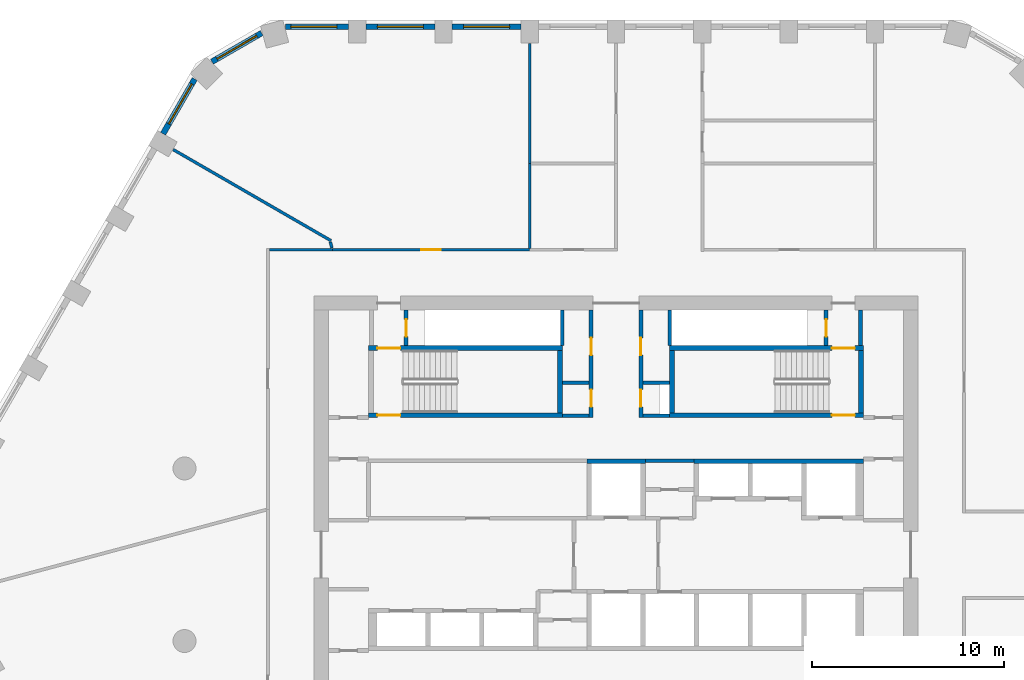
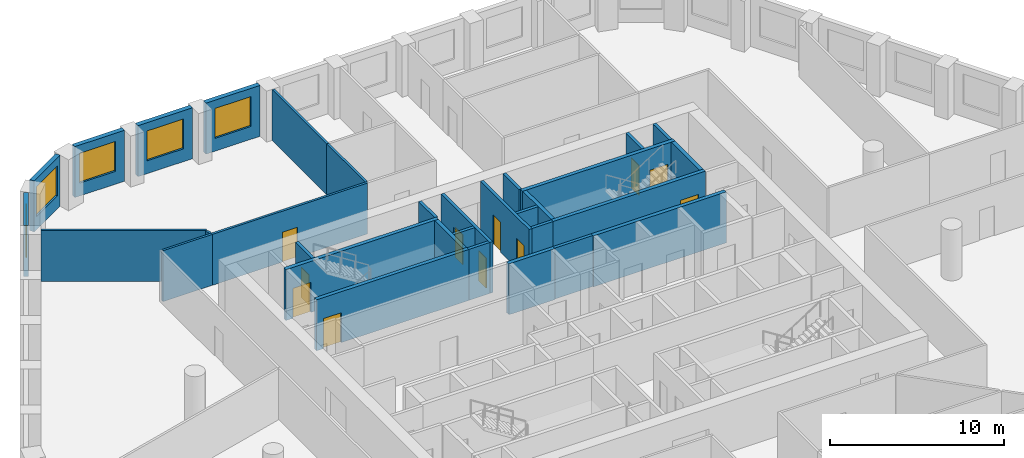
# One storey, part 6 of 9: 32 walls, 11 doors, 5 windows, 16 openings.
"""IFC4 building model written with IfcOpenShell, lengths in metres."""

from ifc_helpers import new_model, si_unit, direction, frame, frame_2d, origin, place, context, subcontext, project, spatial, polyline, rectangle, outline, extrude, material, layer, layer_set, type_object, element, fill, save


model = new_model("IFC4")

# Units and contexts
model_context = context("Model", 3, precision=1e-05, world=origin(), true_north=direction((0.0, 1.0)))
body_context = subcontext(model_context, "Body", "Model", "MODEL_VIEW")
ifc_project = project(units=[si_unit("LENGTHUNIT", "METRE"), si_unit("AREAUNIT", "SQUARE_METRE"), si_unit("VOLUMEUNIT", "CUBIC_METRE"), si_unit("PLANEANGLEUNIT", "RADIAN"), si_unit("MASSUNIT", "GRAM", prefix="KILO")], contexts=[model_context])

# Site, building, storey
site_placement = place(None, origin())
site = spatial("IfcSite", under=ifc_project, at=site_placement, CompositionType="ELEMENT")
building_placement = place(site_placement, origin())
building = spatial("IfcBuilding", under=site, at=building_placement, Name="Dhurran Vertical Campus", CompositionType="ELEMENT")
storey_placement = place(building_placement, frame((0.0, 0.0, 171.60009765625)))
storey = spatial("IfcBuildingStorey", under=building, at=storey_placement, Name="L42", CompositionType="ELEMENT", Elevation=171.60009765625)

# Wall, opening, window
ifc_material_1 = material(Name="Precast concrete C50/60", Category="concrete")
ifc_layer_1 = layer(ifc_material_1, 0.300048828125)
ifc_layer_set_1 = layer_set([ifc_layer_1], Name="Precast concrete C50/60")
wall_type_1 = type_object("IfcWallType", Name="Precast spandrel wall 300", PredefinedType="SOLIDWALL", material=ifc_layer_set_1)
wall_1_placement = place(storey_placement, frame((-4.950439453125, 27.53271484375, 0.0), z_axis=(0.0, 0.0, 1.0), x_axis=(-1.0, 0.0, 0.0)))
wall_1 = element("IfcWall", 1, at=wall_1_placement, inside=storey, type_object=wall_type_1, Name="EW1 L42.28", PredefinedType="SOLIDWALL", context=body_context, shape_type="SweptSolid", body=[
    extrude(rectangle(XDim=3.59912109375, YDim=0.300048828125, at=frame_2d((1.799560546875, 0.0))), origin(), (0.0, 0.0, 1.0), 3.574951171875),
])
opening_1_placement = place(wall_1_placement, frame((0.599609375, 0.0, 0.89990234375)))
opening_1 = element("IfcOpeningElement", 2, at=opening_1_placement, cuts=wall_1, Name="Opening WT1", PredefinedType="OPENING", context=body_context, shape_type="SweptSolid", body=[
    extrude(rectangle(XDim=2.39990234375, YDim=2.10009765625, at=frame_2d((1.199951171875, 1.050048828125))), frame((0.0, 0.159912109375, 0.0), z_axis=(0.0, -1.0, 0.0), x_axis=(1.0, 0.0, 0.0)), (0.0, 0.0, 1.0), 0.320068359375),
])
ifc_material_2 = material(Name="Aluminium frame with solar-control glass", Category="aluminium")
window_type = type_object("IfcWindowType", Name="Punched window 2400 x 2100", PartitioningType="SINGLE_PANEL", PredefinedType="WINDOW", material=ifc_material_2)
window_1_placement = place(opening_1_placement, origin())
window_1 = element("IfcWindow", 3, at=window_1_placement, inside=storey, type_object=window_type, Name="WT1 L42.28", OverallHeight=2.10009765625, OverallWidth=2.39990234375, PartitioningType="SINGLE_PANEL", PredefinedType="WINDOW", context=body_context, shape_type="SweptSolid", body=[
    extrude(rectangle(XDim=2.39990234375, YDim=2.10009765625, at=frame_2d((1.199951171875, 1.050048828125))), frame((0.0, 0.030029296875, 0.0), z_axis=(0.0, -1.0, 0.0), x_axis=(1.0, 0.0, 0.0)), (0.0, 0.0, 1.0), 0.06005859375),
])
fill(opening_1, window_1)

wall_2_placement = place(storey_placement, frame((-9.450439453125, 27.53271484375, 0.0), z_axis=(0.0, 0.0, 1.0), x_axis=(-1.0, 0.0, 0.0)))
wall_2 = element("IfcWall", 4, at=wall_2_placement, inside=storey, type_object=wall_type_1, Name="EW1 L42.29", PredefinedType="SOLIDWALL", context=body_context, shape_type="SweptSolid", body=[
    extrude(rectangle(XDim=3.59912109375, YDim=0.300048828125, at=frame_2d((1.799560546875, 0.0))), origin(), (0.0, 0.0, 1.0), 3.574951171875),
])
opening_2_placement = place(wall_2_placement, frame((0.599609375, 0.0, 0.89990234375)))
opening_2 = element("IfcOpeningElement", 5, at=opening_2_placement, cuts=wall_2, Name="Opening WT1", PredefinedType="OPENING", context=body_context, shape_type="SweptSolid", body=[
    extrude(rectangle(XDim=2.39990234375, YDim=2.10009765625, at=frame_2d((1.199951171875, 1.050048828125))), frame((0.0, 0.159912109375, 0.0), z_axis=(0.0, -1.0, 0.0), x_axis=(1.0, 0.0, 0.0)), (0.0, 0.0, 1.0), 0.320068359375),
])
window_2_placement = place(opening_2_placement, origin())
window_2 = element("IfcWindow", 6, at=window_2_placement, inside=storey, type_object=window_type, Name="WT1 L42.29", OverallHeight=2.10009765625, OverallWidth=2.39990234375, PartitioningType="SINGLE_PANEL", PredefinedType="WINDOW", context=body_context, shape_type="SweptSolid", body=[
    extrude(rectangle(XDim=2.39990234375, YDim=2.10009765625, at=frame_2d((1.199951171875, 1.050048828125))), frame((0.0, 0.030029296875, 0.0), z_axis=(0.0, -1.0, 0.0), x_axis=(1.0, 0.0, 0.0)), (0.0, 0.0, 1.0), 0.06005859375),
])
fill(opening_2, window_2)

wall_3_placement = place(storey_placement, frame((-13.950439453125, 27.53271484375, 0.0), z_axis=(0.0, 0.0, 1.0), x_axis=(-1.0, 0.0, 0.0)))
wall_3 = element("IfcWall", 7, at=wall_3_placement, inside=storey, type_object=wall_type_1, Name="EW1 L42.30", PredefinedType="SOLIDWALL", context=body_context, shape_type="SweptSolid", body=[
    extrude(rectangle(XDim=3.294189453125, YDim=0.300048828125, at=frame_2d((1.64697265625, 0.0))), origin(), (0.0, 0.0, 1.0), 3.574951171875),
])
opening_3_placement = place(wall_3_placement, frame((0.599609375, 0.0, 0.89990234375)))
opening_3 = element("IfcOpeningElement", 8, at=opening_3_placement, cuts=wall_3, Name="Opening WT1", PredefinedType="OPENING", context=body_context, shape_type="SweptSolid", body=[
    extrude(rectangle(XDim=2.39990234375, YDim=2.10009765625, at=frame_2d((1.199951171875, 1.050048828125))), frame((0.0, 0.159912109375, 0.0), z_axis=(0.0, -1.0, 0.0), x_axis=(1.0, 0.0, 0.0)), (0.0, 0.0, 1.0), 0.320068359375),
])
window_3_placement = place(opening_3_placement, origin())
window_3 = element("IfcWindow", 9, at=window_3_placement, inside=storey, type_object=window_type, Name="WT1 L42.30", OverallHeight=2.10009765625, OverallWidth=2.39990234375, PartitioningType="SINGLE_PANEL", PredefinedType="WINDOW", context=body_context, shape_type="SweptSolid", body=[
    extrude(rectangle(XDim=2.39990234375, YDim=2.10009765625, at=frame_2d((1.199951171875, 1.050048828125))), frame((0.0, 0.030029296875, 0.0), z_axis=(0.0, -1.0, 0.0), x_axis=(1.0, 0.0, 0.0)), (0.0, 0.0, 1.0), 0.06005859375),
])
fill(opening_3, window_3)

wall_4_placement = place(storey_placement, frame((-18.479248046875, 27.201904296875, 0.0), z_axis=(0.0, 0.0, 1.0), x_axis=(-0.866012844897, -0.500021752, 0.0)))
wall_4 = element("IfcWall", 10, at=wall_4_placement, inside=storey, type_object=wall_type_1, Name="EW1 L42.31", PredefinedType="SOLIDWALL", context=body_context, shape_type="SweptSolid", body=[
    extrude(rectangle(XDim=2.989013671875, YDim=0.300048828125, at=frame_2d((1.49462890625, 0.0))), origin(), (0.0, 0.0, 1.0), 3.574951171875),
])
opening_4_placement = place(wall_4_placement, frame((0.294677734375, 0.0, 0.89990234375)))
opening_4 = element("IfcOpeningElement", 11, at=opening_4_placement, cuts=wall_4, Name="Opening WT1", PredefinedType="OPENING", context=body_context, shape_type="SweptSolid", body=[
    extrude(rectangle(XDim=2.39990234375, YDim=2.10009765625, at=frame_2d((1.199951171875, 1.050048828125))), frame((0.0, 0.159912109375, 0.0), z_axis=(0.0, -1.0, 0.0), x_axis=(1.0, 0.0, 0.0)), (0.0, 0.0, 1.0), 0.320068359375),
])
window_4_placement = place(opening_4_placement, origin())
window_4 = element("IfcWindow", 12, at=window_4_placement, inside=storey, type_object=window_type, Name="WT1 L42.31", OverallHeight=2.10009765625, OverallWidth=2.39990234375, PartitioningType="SINGLE_PANEL", PredefinedType="WINDOW", context=body_context, shape_type="SweptSolid", body=[
    extrude(rectangle(XDim=2.39990234375, YDim=2.10009765625, at=frame_2d((1.199951171875, 1.050048828125))), frame((0.0, 0.030029296875, 0.0), z_axis=(0.0, -1.0, 0.0), x_axis=(1.0, 0.0, 0.0)), (0.0, 0.0, 1.0), 0.06005859375),
])
fill(opening_4, window_4)

wall_5_placement = place(storey_placement, frame((-21.9716796875, 24.803466796875, 0.0), z_axis=(0.0, 0.0, 1.0), x_axis=(-0.500036802197, -0.866004154983, 0.0)))
wall_5 = element("IfcWall", 13, at=wall_5_placement, inside=storey, type_object=wall_type_1, Name="EW1 L42.32", PredefinedType="SOLIDWALL", context=body_context, shape_type="SweptSolid", body=[
    extrude(rectangle(XDim=3.294189453125, YDim=0.300048828125, at=frame_2d((1.64697265625, 0.0))), origin(), (0.0, 0.0, 1.0), 3.574951171875),
])
opening_5_placement = place(wall_5_placement, frame((0.29443359375, 0.0, 0.89990234375)))
opening_5 = element("IfcOpeningElement", 14, at=opening_5_placement, cuts=wall_5, Name="Opening WT1", PredefinedType="OPENING", context=body_context, shape_type="SweptSolid", body=[
    extrude(rectangle(XDim=2.39990234375, YDim=2.10009765625, at=frame_2d((1.199951171875, 1.050048828125))), frame((0.0, 0.159912109375, 0.0), z_axis=(0.0, -1.0, 0.0), x_axis=(1.0, 0.0, 0.0)), (0.0, 0.0, 1.0), 0.320068359375),
])
window_5_placement = place(opening_5_placement, origin())
window_5 = element("IfcWindow", 15, at=window_5_placement, inside=storey, type_object=window_type, Name="WT1 L42.32", OverallHeight=2.10009765625, OverallWidth=2.39990234375, PartitioningType="SINGLE_PANEL", PredefinedType="WINDOW", context=body_context, shape_type="SweptSolid", body=[
    extrude(rectangle(XDim=2.39990234375, YDim=2.10009765625, at=frame_2d((1.199951171875, 1.050048828125))), frame((0.0, 0.030029296875, 0.0), z_axis=(0.0, -1.0, 0.0), x_axis=(1.0, 0.0, 0.0)), (0.0, 0.0, 1.0), 0.06005859375),
])
fill(opening_5, window_5)

# Walls
ifc_material_3 = material(Name="Fire-rated masonry blockwork", Category="masonry")
ifc_layer_2 = layer(ifc_material_3, 0.199951171875)
ifc_layer_set_2 = layer_set([ifc_layer_2], Name="Fire-rated masonry blockwork")
wall_type_2 = type_object("IfcWallType", Name="co-FIRE-PARTITION-200", PredefinedType="PARTITIONING", material=ifc_layer_set_2)
for number, where, z_axis, x_axis, name in (
    (16, (-2.800048828125, 7.25, 0.0), (0.0, 0.0, 1.0), (1.0, 0.0, 0.0), "Core partition sl-NW-S L42"),
    (17, (-2.800048828125, 8.969970703125, 0.0), (0.0, 0.0, 1.0), (1.0, 0.0, 0.0), "Core partition sl-NW-cut0 L42"),
    (18, (1.39990234375, 7.25, 0.0), (0.0, 0.0, 1.0), (1.0, 0.0, 0.0), "Core partition sl-NE-S L42"),
    (19, (1.39990234375, 8.969970703125, 0.0), (0.0, 0.0, 1.0), (1.0, 0.0, 0.0), "Core partition sl-NE-cut0 L42"),
):
    element("IfcWall", number, at=place(storey_placement, frame(where, z_axis=z_axis, x_axis=x_axis)), inside=storey, type_object=wall_type_2, Name=name, PredefinedType="PARTITIONING", context=body_context, shape_type="SweptSolid", body=[
        extrude(rectangle(XDim=1.400146484375, YDim=0.199951171875, at=frame_2d((0.7001953125, 0.0))), origin(), (0.0, 0.0, 1.0), 3.574951171875),
    ])

# Wall, openings, doors
wall_6_placement = place(storey_placement, frame((-1.300048828125, 7.14990234375, 0.0), z_axis=(0.0, 0.0, 1.0), x_axis=(0.0, 1.0, 0.0)))
wall_6 = element("IfcWall", 20, at=wall_6_placement, inside=storey, type_object=wall_type_2, Name="Core partition vest-NW L42", PredefinedType="PARTITIONING", context=body_context, shape_type="SweptSolid", body=[
    extrude(rectangle(XDim=5.60009765625, YDim=0.199951171875, at=frame_2d((2.800048828125, 0.0))), origin(), (0.0, 0.0, 1.0), 3.574951171875),
])
opening_6_placement = place(wall_6_placement, frame((0.56005859375, 0.0, 0.0)))
opening_6 = element("IfcOpeningElement", 21, at=opening_6_placement, cuts=wall_6, Name="Opening T12-C6", PredefinedType="OPENING", context=body_context, shape_type="SweptSolid", body=[
    extrude(rectangle(XDim=0.89990234375, YDim=2.10009765625, at=frame_2d((0.449951171875, 1.050048828125))), frame((0.0, 0.10986328125, 0.0), z_axis=(0.0, -1.0, 0.0), x_axis=(1.0, 0.0, 0.0)), (0.0, 0.0, 1.0), 0.219970703125),
])
opening_7_placement = place(wall_6_placement, frame((3.260009765625, 0.0, 0.0)))
opening_7 = element("IfcOpeningElement", 22, at=opening_7_placement, cuts=wall_6, Name="Opening T12-C7", PredefinedType="OPENING", context=body_context, shape_type="SweptSolid", body=[
    extrude(rectangle(XDim=0.89990234375, YDim=2.10009765625, at=frame_2d((0.449951171875, 1.050048828125))), frame((0.0, 0.10986328125, 0.0), z_axis=(0.0, -1.0, 0.0), x_axis=(1.0, 0.0, 0.0)), (0.0, 0.0, 1.0), 0.219970703125),
])
ifc_material_4 = material(Name="Fire-rated timber door set", Category="wood")
door_type_1 = type_object("IfcDoorType", Name="co-D-ROOM 900x2100", OperationType="SINGLE_SWING_LEFT", PredefinedType="DOOR", material=ifc_material_4)
door_1_placement = place(opening_6_placement, origin())
door_1 = element("IfcDoor", 23, at=door_1_placement, inside=storey, type_object=door_type_1, Name="Waste room door L42", OperationType="SINGLE_SWING_LEFT", OverallHeight=2.10009765625, OverallWidth=0.89990234375, PredefinedType="DOOR", context=body_context, shape_type="SweptSolid", body=[
    extrude(rectangle(XDim=0.89990234375, YDim=2.10009765625, at=frame_2d((0.449951171875, 1.050048828125))), frame((0.0, 0.02490234375, 0.0), z_axis=(0.0, -1.0, 0.0), x_axis=(1.0, 0.0, 0.0)), (0.0, 0.0, 1.0), 0.050048828125),
])
fill(opening_6, door_1)
door_2_placement = place(opening_7_placement, origin())
door_2 = element("IfcDoor", 24, at=door_2_placement, inside=storey, type_object=door_type_1, Name="Store door L42", OperationType="SINGLE_SWING_LEFT", OverallHeight=2.10009765625, OverallWidth=0.89990234375, PredefinedType="DOOR", context=body_context, shape_type="SweptSolid", body=[
    extrude(rectangle(XDim=0.89990234375, YDim=2.10009765625, at=frame_2d((0.449951171875, 1.050048828125))), frame((0.0, 0.02490234375, 0.0), z_axis=(0.0, -1.0, 0.0), x_axis=(1.0, 0.0, 0.0)), (0.0, 0.0, 1.0), 0.050048828125),
])
fill(opening_7, door_2)

wall_7_placement = place(storey_placement, frame((1.300048828125, 7.14990234375, 0.0), z_axis=(0.0, 0.0, 1.0), x_axis=(0.0, 1.0, 0.0)))
wall_7 = element("IfcWall", 25, at=wall_7_placement, inside=storey, type_object=wall_type_2, Name="Core partition vest-NE L42", PredefinedType="PARTITIONING", context=body_context, shape_type="SweptSolid", body=[
    extrude(rectangle(XDim=5.60009765625, YDim=0.199951171875, at=frame_2d((2.800048828125, 0.0))), origin(), (0.0, 0.0, 1.0), 3.574951171875),
])
opening_8_placement = place(wall_7_placement, frame((0.56005859375, 0.0, 0.0)))
opening_8 = element("IfcOpeningElement", 26, at=opening_8_placement, cuts=wall_7, Name="Opening T12-C8", PredefinedType="OPENING", context=body_context, shape_type="SweptSolid", body=[
    extrude(rectangle(XDim=0.89990234375, YDim=2.10009765625, at=frame_2d((0.449951171875, 1.050048828125))), frame((0.0, 0.10986328125, 0.0), z_axis=(0.0, -1.0, 0.0), x_axis=(1.0, 0.0, 0.0)), (0.0, 0.0, 1.0), 0.219970703125),
])
opening_9_placement = place(wall_7_placement, frame((3.260009765625, 0.0, 0.0)))
opening_9 = element("IfcOpeningElement", 27, at=opening_9_placement, cuts=wall_7, Name="Opening T12-C9", PredefinedType="OPENING", context=body_context, shape_type="SweptSolid", body=[
    extrude(rectangle(XDim=0.89990234375, YDim=2.10009765625, at=frame_2d((0.449951171875, 1.050048828125))), frame((0.0, 0.10986328125, 0.0), z_axis=(0.0, -1.0, 0.0), x_axis=(1.0, 0.0, 0.0)), (0.0, 0.0, 1.0), 0.219970703125),
])
door_3_placement = place(opening_8_placement, origin())
door_3 = element("IfcDoor", 28, at=door_3_placement, inside=storey, type_object=door_type_1, Name="Water riser door L42", OperationType="SINGLE_SWING_LEFT", OverallHeight=2.10009765625, OverallWidth=0.89990234375, PredefinedType="DOOR", context=body_context, shape_type="SweptSolid", body=[
    extrude(rectangle(XDim=0.89990234375, YDim=2.10009765625, at=frame_2d((0.449951171875, 1.050048828125))), frame((0.0, 0.02490234375, 0.0), z_axis=(0.0, -1.0, 0.0), x_axis=(1.0, 0.0, 0.0)), (0.0, 0.0, 1.0), 0.050048828125),
])
fill(opening_8, door_3)
door_4_placement = place(opening_9_placement, origin())
door_4 = element("IfcDoor", 29, at=door_4_placement, inside=storey, type_object=door_type_1, Name="Housekeeping store door L42", OperationType="SINGLE_SWING_LEFT", OverallHeight=2.10009765625, OverallWidth=0.89990234375, PredefinedType="DOOR", context=body_context, shape_type="SweptSolid", body=[
    extrude(rectangle(XDim=0.89990234375, YDim=2.10009765625, at=frame_2d((0.449951171875, 1.050048828125))), frame((0.0, 0.02490234375, 0.0), z_axis=(0.0, -1.0, 0.0), x_axis=(1.0, 0.0, 0.0)), (0.0, 0.0, 1.0), 0.050048828125),
])
fill(opening_9, door_4)

# Wall, opening, door
wall_8_placement = place(storey_placement, frame((-10.949951171875, 10.89990234375, 0.0), z_axis=(0.0, 0.0, 1.0), x_axis=(0.0, 1.0, 0.0)))
wall_8 = element("IfcWall", 30, at=wall_8_placement, inside=storey, type_object=wall_type_2, Name="Core partition pass-ST1-i L42", PredefinedType="PARTITIONING", context=body_context, shape_type="SweptSolid", body=[
    extrude(rectangle(XDim=1.85009765625, YDim=0.199951171875, at=frame_2d((0.925048828125, 0.0))), origin(), (0.0, 0.0, 1.0), 3.574951171875),
])
opening_10_placement = place(wall_8_placement, frame((0.47509765625, 0.0, 0.0)))
opening_10 = element("IfcOpeningElement", 31, at=opening_10_placement, cuts=wall_8, Name="Opening T12-C10", PredefinedType="OPENING", context=body_context, shape_type="SweptSolid", body=[
    extrude(rectangle(XDim=0.89990234375, YDim=2.10009765625, at=frame_2d((0.449951171875, 1.050048828125))), frame((0.0, 0.10986328125, 0.0), z_axis=(0.0, -1.0, 0.0), x_axis=(1.0, 0.0, 0.0)), (0.0, 0.0, 1.0), 0.219970703125),
])
door_5_placement = place(opening_10_placement, origin())
door_5 = element("IfcDoor", 32, at=door_5_placement, inside=storey, type_object=door_type_1, Name="Riser room door L42", OperationType="SINGLE_SWING_LEFT", OverallHeight=2.10009765625, OverallWidth=0.89990234375, PredefinedType="DOOR", context=body_context, shape_type="SweptSolid", body=[
    extrude(rectangle(XDim=0.89990234375, YDim=2.10009765625, at=frame_2d((0.449951171875, 1.050048828125))), frame((0.0, 0.02490234375, 0.0), z_axis=(0.0, -1.0, 0.0), x_axis=(1.0, 0.0, 0.0)), (0.0, 0.0, 1.0), 0.050048828125),
])
fill(opening_10, door_5)

# Wall
wall_9_placement = place(storey_placement, frame((12.75, 10.89990234375, 0.0), z_axis=(0.0, 0.0, 1.0), x_axis=(0.0, 1.0, 0.0)))
element("IfcWall", 33, at=wall_9_placement, inside=storey, type_object=wall_type_2, Name="Core partition pass-ST2-o L42", PredefinedType="PARTITIONING", context=body_context, shape_type="SweptSolid", body=[
    extrude(rectangle(XDim=1.85009765625, YDim=0.199951171875, at=frame_2d((0.925048828125, 0.0))), origin(), (0.0, 0.0, 1.0), 3.574951171875),
])

# Wall, opening, door
wall_10_placement = place(storey_placement, frame((10.949951171875, 10.89990234375, 0.0), z_axis=(0.0, 0.0, 1.0), x_axis=(0.0, 1.0, 0.0)))
wall_10 = element("IfcWall", 34, at=wall_10_placement, inside=storey, type_object=wall_type_2, Name="Core partition pass-ST2-i L42", PredefinedType="PARTITIONING", context=body_context, shape_type="SweptSolid", body=[
    extrude(rectangle(XDim=1.85009765625, YDim=0.199951171875, at=frame_2d((0.925048828125, 0.0))), origin(), (0.0, 0.0, 1.0), 3.574951171875),
])
opening_11_placement = place(wall_10_placement, frame((0.47509765625, 0.0, 0.0)))
opening_11 = element("IfcOpeningElement", 35, at=opening_11_placement, cuts=wall_10, Name="Opening T12-C11", PredefinedType="OPENING", context=body_context, shape_type="SweptSolid", body=[
    extrude(rectangle(XDim=0.89990234375, YDim=2.10009765625, at=frame_2d((0.449951171875, 1.050048828125))), frame((0.0, 0.10986328125, 0.0), z_axis=(0.0, -1.0, 0.0), x_axis=(1.0, 0.0, 0.0)), (0.0, 0.0, 1.0), 0.219970703125),
])
door_6_placement = place(opening_11_placement, origin())
door_6 = element("IfcDoor", 36, at=door_6_placement, inside=storey, type_object=door_type_1, Name="Riser room door L42", OperationType="SINGLE_SWING_LEFT", OverallHeight=2.10009765625, OverallWidth=0.89990234375, PredefinedType="DOOR", context=body_context, shape_type="SweptSolid", body=[
    extrude(rectangle(XDim=0.89990234375, YDim=2.10009765625, at=frame_2d((0.449951171875, 1.050048828125))), frame((0.0, 0.02490234375, 0.0), z_axis=(0.0, -1.0, 0.0), x_axis=(1.0, 0.0, 0.0)), (0.0, 0.0, 1.0), 0.050048828125),
])
fill(opening_11, door_6)

# Walls
wall_11_placement = place(storey_placement, frame((1.52490234375, 4.89990234375, 0.0), z_axis=(0.0, 0.0, 1.0), x_axis=(1.0, 0.0, 0.0)))
element("IfcWall", 37, at=wall_11_placement, inside=storey, type_object=wall_type_2, Name="Core partition fr-N1-b L42", PredefinedType="PARTITIONING", context=body_context, shape_type="SweptSolid", body=[
    extrude(rectangle(XDim=2.550048828125, YDim=0.199951171875, at=frame_2d((1.27490234375, 0.0))), origin(), (0.0, 0.0, 1.0), 3.574951171875),
])
for number, where, z_axis, x_axis, name in (
    (38, (-2.800048828125, 10.90087890625, 0.0), (0.0, 0.0, 1.0), (0.0, 1.0, 0.0), "Riser enclosure wall L42"),
    (39, (2.800048828125, 12.7490234375, 0.0), (0.0, 0.0, 1.0), (0.0, -1.0, 0.0), "Riser enclosure wall L42"),
):
    element("IfcWall", number, at=place(storey_placement, frame(where, z_axis=z_axis, x_axis=x_axis)), inside=storey, type_object=wall_type_2, Name=name, PredefinedType="PARTITIONING", context=body_context, shape_type="SweptSolid", body=[
        extrude(rectangle(XDim=1.84814453125, YDim=0.199951171875, at=frame_2d((0.924072265625, 0.0))), origin(), (0.0, 0.0, 1.0), 3.574951171875),
    ])
ifc_material_5 = material(Name="Concrete C50/60", Category="concrete")
ifc_layer_3 = layer(ifc_material_5, 0.25)
ifc_layer_set_3 = layer_set([ifc_layer_3], Name="Concrete C50/60")
wall_type_3 = type_object("IfcWallType", Name="co-SHAFT-MASS-250", PredefinedType="SHEAR", material=ifc_layer_set_3)
wall_12_placement = place(storey_placement, origin())
element("IfcWall", 40, at=wall_12_placement, inside=storey, type_object=wall_type_3, Name="Lift shaft wall N L42 1", PredefinedType="SHEAR", context=body_context, shape_type="SweptSolid", body=[
    extrude(outline(polyline([(-1.52490234375, 4.75), (1.52490234375, 4.75), (1.52490234375, 5.0), (-1.52490234375, 5.0), (-1.52490234375, 4.75)])), origin(), (0.0, 0.0, 1.0), 3.574951171875),
])
wall_13_placement = place(storey_placement, origin())
element("IfcWall", 41, at=wall_13_placement, inside=storey, type_object=wall_type_3, Name="Lift shaft wall N L42 2", PredefinedType="SHEAR", context=body_context, shape_type="SweptSolid", body=[
    extrude(outline(polyline([(4.074951171875, 4.75), (12.89990234375, 4.75), (12.89990234375, 5.0), (4.074951171875, 5.0), (4.074951171875, 4.75)])), origin(), (0.0, 0.0, 1.0), 3.574951171875),
])

# Wall, opening, door
ifc_material_6 = material(Name="Concrete C40/50", Category="concrete")
ifc_layer_4 = layer(ifc_material_6, 0.25)
ifc_layer_set_4 = layer_set([ifc_layer_4], Name="Concrete C40/50")
wall_type_4 = type_object("IfcWallType", Name="co-STAIR-WALL-250", PredefinedType="SHEAR", material=ifc_layer_set_4)
wall_14_placement = place(storey_placement, frame((-12.89990234375, 7.27490234375, 0.0), z_axis=(0.0, 0.0, 1.0), x_axis=(1.0, 0.0, 0.0)))
wall_14 = element("IfcWall", 42, at=wall_14_placement, inside=storey, type_object=wall_type_4, Name="Stair ST1 enclosure wall L42", PredefinedType="SHEAR", context=body_context, shape_type="SweptSolid", body=[
    extrude(rectangle(XDim=10.099853515625, YDim=0.25, at=frame_2d((5.0498046875, 0.0))), origin(), (0.0, 0.0, 1.0), 3.574951171875),
])
opening_12_placement = place(wall_14_placement, frame((0.449951171875, 0.0, 0.0)))
opening_12 = element("IfcOpeningElement", 43, at=opening_12_placement, cuts=wall_14, Name="Opening SD1", PredefinedType="OPENING", context=body_context, shape_type="SweptSolid", body=[
    extrude(rectangle(XDim=1.199951171875, YDim=2.10009765625, at=frame_2d((0.60009765625, 1.050048828125))), frame((0.0, 0.135009765625, 0.0), z_axis=(0.0, -1.0, 0.0), x_axis=(1.0, 0.0, 0.0)), (0.0, 0.0, 1.0), 0.27001953125),
])
ifc_material_7 = material(Name="Fire-rated steel door set", Category="steel")
door_type_2 = type_object("IfcDoorType", Name="co-D-STAIR 1200x2100", OperationType="SINGLE_SWING_LEFT", PredefinedType="DOOR", material=ifc_material_7)
door_7_placement = place(opening_12_placement, origin())
door_7 = element("IfcDoor", 44, at=door_7_placement, inside=storey, type_object=door_type_2, Name="Stair ST1 door L42", OperationType="SINGLE_SWING_LEFT", OverallHeight=2.10009765625, OverallWidth=1.199951171875, PredefinedType="DOOR", context=body_context, shape_type="SweptSolid", body=[
    extrude(rectangle(XDim=1.199951171875, YDim=2.10009765625, at=frame_2d((0.60009765625, 1.050048828125))), frame((0.0, 0.02490234375, 0.0), z_axis=(0.0, -1.0, 0.0), x_axis=(1.0, 0.0, 0.0)), (0.0, 0.0, 1.0), 0.050048828125),
])
fill(opening_12, door_7)

wall_15_placement = place(storey_placement, frame((-12.89990234375, 10.77490234375, 0.0), z_axis=(0.0, 0.0, 1.0), x_axis=(1.0, 0.0, 0.0)))
wall_15 = element("IfcWall", 45, at=wall_15_placement, inside=storey, type_object=wall_type_4, Name="Stair ST1 enclosure wall L42", PredefinedType="SHEAR", context=body_context, shape_type="SweptSolid", body=[
    extrude(rectangle(XDim=10.099853515625, YDim=0.25, at=frame_2d((5.0498046875, 0.0))), origin(), (0.0, 0.0, 1.0), 3.574951171875),
])
opening_13_placement = place(wall_15_placement, frame((0.449951171875, 0.0, 0.0)))
opening_13 = element("IfcOpeningElement", 46, at=opening_13_placement, cuts=wall_15, Name="Opening XS1", PredefinedType="OPENING", context=body_context, shape_type="SweptSolid", body=[
    extrude(rectangle(XDim=1.199951171875, YDim=2.10009765625, at=frame_2d((0.60009765625, 1.050048828125))), frame((0.0, 0.135009765625, 0.0), z_axis=(0.0, -1.0, 0.0), x_axis=(1.0, 0.0, 0.0)), (0.0, 0.0, 1.0), 0.27001953125),
])
ifc_material_8 = material(Name="Fire-rated steel door set", Category="steel")
door_type_3 = type_object("IfcDoorType", Name="co-D-STAIR-EXIT 1200x2100", OperationType="SINGLE_SWING_RIGHT", PredefinedType="DOOR", material=ifc_material_8)
door_8_placement = place(opening_13_placement, origin())
door_8 = element("IfcDoor", 47, at=door_8_placement, inside=storey, type_object=door_type_3, Name="Stair ST1 discharge door L42", OperationType="SINGLE_SWING_RIGHT", OverallHeight=2.10009765625, OverallWidth=1.199951171875, PredefinedType="DOOR", context=body_context, shape_type="SweptSolid", body=[
    extrude(rectangle(XDim=1.199951171875, YDim=2.10009765625, at=frame_2d((0.60009765625, 1.050048828125))), frame((0.0, 0.02490234375, 0.0), z_axis=(0.0, -1.0, 0.0), x_axis=(1.0, 0.0, 0.0)), (0.0, 0.0, 1.0), 0.050048828125),
])
fill(opening_13, door_8)

# Wall
wall_16_placement = place(storey_placement, frame((-2.925048828125, 7.39990234375, 0.0), z_axis=(0.0, 0.0, 1.0), x_axis=(0.0, 1.0, 0.0)))
element("IfcWall", 48, at=wall_16_placement, inside=storey, type_object=wall_type_4, Name="Stair ST1 enclosure wall L42", PredefinedType="SHEAR", context=body_context, shape_type="SweptSolid", body=[
    extrude(rectangle(XDim=3.25, YDim=0.25, at=frame_2d((1.625, 0.0))), origin(), (0.0, 0.0, 1.0), 3.574951171875),
])

# Wall, opening, door
wall_17_placement = place(storey_placement, frame((2.800048828125, 7.27490234375, 0.0), z_axis=(0.0, 0.0, 1.0), x_axis=(1.0, 0.0, 0.0)))
wall_17 = element("IfcWall", 49, at=wall_17_placement, inside=storey, type_object=wall_type_4, Name="Stair ST2 enclosure wall L42", PredefinedType="SHEAR", context=body_context, shape_type="SweptSolid", body=[
    extrude(rectangle(XDim=10.099853515625, YDim=0.25, at=frame_2d((5.0498046875, 0.0))), origin(), (0.0, 0.0, 1.0), 3.574951171875),
])
opening_14_placement = place(wall_17_placement, frame((8.449951171875, 0.0, 0.0)))
opening_14 = element("IfcOpeningElement", 50, at=opening_14_placement, cuts=wall_17, Name="Opening SD2", PredefinedType="OPENING", context=body_context, shape_type="SweptSolid", body=[
    extrude(rectangle(XDim=1.199951171875, YDim=2.10009765625, at=frame_2d((0.60009765625, 1.050048828125))), frame((0.0, 0.135009765625, 0.0), z_axis=(0.0, -1.0, 0.0), x_axis=(1.0, 0.0, 0.0)), (0.0, 0.0, 1.0), 0.27001953125),
])
door_9_placement = place(opening_14_placement, origin())
door_9 = element("IfcDoor", 51, at=door_9_placement, inside=storey, type_object=door_type_2, Name="Stair ST2 door L42", OperationType="SINGLE_SWING_LEFT", OverallHeight=2.10009765625, OverallWidth=1.199951171875, PredefinedType="DOOR", context=body_context, shape_type="SweptSolid", body=[
    extrude(rectangle(XDim=1.199951171875, YDim=2.10009765625, at=frame_2d((0.60009765625, 1.050048828125))), frame((0.0, 0.02490234375, 0.0), z_axis=(0.0, -1.0, 0.0), x_axis=(1.0, 0.0, 0.0)), (0.0, 0.0, 1.0), 0.050048828125),
])
fill(opening_14, door_9)

wall_18_placement = place(storey_placement, frame((2.800048828125, 10.77490234375, 0.0), z_axis=(0.0, 0.0, 1.0), x_axis=(1.0, 0.0, 0.0)))
wall_18 = element("IfcWall", 52, at=wall_18_placement, inside=storey, type_object=wall_type_4, Name="Stair ST2 enclosure wall L42", PredefinedType="SHEAR", context=body_context, shape_type="SweptSolid", body=[
    extrude(rectangle(XDim=10.099853515625, YDim=0.25, at=frame_2d((5.0498046875, 0.0))), origin(), (0.0, 0.0, 1.0), 3.574951171875),
])
opening_15_placement = place(wall_18_placement, frame((8.449951171875, 0.0, 0.0)))
opening_15 = element("IfcOpeningElement", 53, at=opening_15_placement, cuts=wall_18, Name="Opening XS2", PredefinedType="OPENING", context=body_context, shape_type="SweptSolid", body=[
    extrude(rectangle(XDim=1.199951171875, YDim=2.10009765625, at=frame_2d((0.60009765625, 1.050048828125))), frame((0.0, 0.135009765625, 0.0), z_axis=(0.0, -1.0, 0.0), x_axis=(1.0, 0.0, 0.0)), (0.0, 0.0, 1.0), 0.27001953125),
])
door_10_placement = place(opening_15_placement, origin())
door_10 = element("IfcDoor", 54, at=door_10_placement, inside=storey, type_object=door_type_3, Name="Stair ST2 discharge door L42", OperationType="SINGLE_SWING_RIGHT", OverallHeight=2.10009765625, OverallWidth=1.199951171875, PredefinedType="DOOR", context=body_context, shape_type="SweptSolid", body=[
    extrude(rectangle(XDim=1.199951171875, YDim=2.10009765625, at=frame_2d((0.60009765625, 1.050048828125))), frame((0.0, 0.02490234375, 0.0), z_axis=(0.0, -1.0, 0.0), x_axis=(1.0, 0.0, 0.0)), (0.0, 0.0, 1.0), 0.050048828125),
])
fill(opening_15, door_10)

# Walls
for number, where, z_axis, x_axis, name in (
    (55, (2.925048828125, 7.39990234375, 0.0), (0.0, 0.0, 1.0), (0.0, 1.0, 0.0), "Stair ST2 enclosure wall L42"),
    (56, (12.77490234375, 7.39990234375, 0.0), (0.0, 0.0, 1.0), (0.0, 1.0, 0.0), "Stair ST2 enclosure wall L42"),
):
    element("IfcWall", number, at=place(storey_placement, frame(where, z_axis=z_axis, x_axis=x_axis)), inside=storey, type_object=wall_type_4, Name=name, PredefinedType="SHEAR", context=body_context, shape_type="SweptSolid", body=[
        extrude(rectangle(XDim=3.25, YDim=0.25, at=frame_2d((1.625, 0.0))), origin(), (0.0, 0.0, 1.0), 3.574951171875),
    ])
ifc_material_9 = material(Name="Gypsum board corridor wall on steel studs", Category="steel")
ifc_layer_5 = layer(ifc_material_9, 0.14990234375)
ifc_layer_set_5 = layer_set([ifc_layer_5], Name="Gypsum board corridor wall on steel studs")
wall_type_5 = type_object("IfcWallType", Name="fl-CW-150 corridor wall", PredefinedType="PARTITIONING", material=ifc_layer_set_5)
wall_19_placement = place(storey_placement, frame((-14.7890625, 15.89990234375, 0.0), z_axis=(0.0, 0.0, 1.0), x_axis=(-1.0, 0.0, 0.0)))
element("IfcWall", 57, at=wall_19_placement, inside=storey, type_object=wall_type_5, Name="Partition 42-07", PredefinedType="PARTITIONING", context=body_context, shape_type="SweptSolid", body=[
    extrude(rectangle(XDim=3.285888671875, YDim=0.14990234375, at=frame_2d((1.64306640625, 0.0))), origin(), (0.0, 0.0, 1.0), 3.574951171875),
])

# Wall, opening, door
wall_20_placement = place(storey_placement, frame((-4.5, 15.89990234375, 0.0), z_axis=(0.0, 0.0, 1.0), x_axis=(-1.0, 0.0, 0.0)))
wall_20 = element("IfcWall", 58, at=wall_20_placement, inside=storey, type_object=wall_type_5, Name="Partition 42-11", PredefinedType="PARTITIONING", context=body_context, shape_type="SweptSolid", body=[
    extrude(rectangle(XDim=10.2890625, YDim=0.14990234375, at=frame_2d((5.14453125, 0.0))), origin(), (0.0, 0.0, 1.0), 3.574951171875),
])
opening_16_placement = place(wall_20_placement, frame((4.64453125, 0.0, 0.0)))
opening_16 = element("IfcOpeningElement", 59, at=opening_16_placement, cuts=wall_20, Name="Opening T12.04", PredefinedType="OPENING", context=body_context, shape_type="SweptSolid", body=[
    extrude(rectangle(XDim=1.0, YDim=2.10009765625, at=frame_2d((0.5, 1.050048828125))), frame((0.0, 0.0849609375, 0.0), z_axis=(0.0, -1.0, 0.0), x_axis=(1.0, 0.0, 0.0)), (0.0, 0.0, 1.0), 0.169921875),
])
ifc_material_10 = material(Name="Solid-core timber door set, fire-rated", Category="wood")
door_type_4 = type_object("IfcDoorType", Name="fl-D-1000x2100", OperationType="SINGLE_SWING_LEFT", PredefinedType="DOOR", material=ifc_material_10)
door_11_placement = place(opening_16_placement, origin())
door_11 = element("IfcDoor", 60, at=door_11_placement, inside=storey, type_object=door_type_4, Name="Door 42.04", OperationType="SINGLE_SWING_LEFT", OverallHeight=2.10009765625, OverallWidth=1.0, PredefinedType="DOOR", context=body_context, shape_type="SweptSolid", body=[
    extrude(rectangle(XDim=1.0, YDim=2.10009765625, at=frame_2d((0.5, 1.050048828125))), frame((0.0, 0.02490234375, 0.0), z_axis=(0.0, -1.0, 0.0), x_axis=(1.0, 0.0, 0.0)), (0.0, 0.0, 1.0), 0.050048828125),
])
fill(opening_16, door_11)

# Walls
ifc_material_11 = material(Name="Gypsum board partition on steel studs", Category="steel")
ifc_layer_6 = layer(ifc_material_11, 0.14990234375)
ifc_layer_set_6 = layer_set([ifc_layer_6], Name="Gypsum board partition on steel studs")
wall_type_6 = type_object("IfcWallType", Name="fl-PW-150 fixed partition", PredefinedType="PARTITIONING", material=ifc_layer_set_6)
wall_21_placement = place(storey_placement, frame((-23.09033203125, 21.1259765625, 0.0), z_axis=(0.0, 0.0, 1.0), x_axis=(0.866011447264, -0.500024172624, 0.0)))
element("IfcWall", 61, at=wall_21_placement, inside=storey, type_object=wall_type_6, Name="Partition 42-03", PredefinedType="PARTITIONING", context=body_context, shape_type="SweptSolid", body=[
    extrude(rectangle(XDim=9.50244140625, YDim=0.14990234375, at=frame_2d((4.751220703125, 0.0))), origin(), (0.0, 0.0, 1.0), 3.574951171875),
])
wall_22_placement = place(storey_placement, frame((-14.898681640625, 16.310546875, 0.0), z_axis=(0.0, 0.0, 1.0), x_axis=(0.257478443243, -0.966284042746, 0.0)))
element("IfcWall", 62, at=wall_22_placement, inside=storey, type_object=wall_type_6, Name="Partition 42-09", PredefinedType="PARTITIONING", context=body_context, shape_type="SweptSolid", body=[
    extrude(rectangle(XDim=0.330078125, YDim=0.14990234375, at=frame_2d((0.1650390625, 0.0))), origin(), (0.0, 0.0, 1.0), 3.574951171875),
])
wall_23_placement = place(storey_placement, frame((-4.5, 20.39990234375, 0.0), z_axis=(0.0, 0.0, 1.0), x_axis=(0.0, -1.0, 0.0)))
element("IfcWall", 63, at=wall_23_placement, inside=storey, type_object=wall_type_6, Name="Partition 42-16", PredefinedType="PARTITIONING", context=body_context, shape_type="SweptSolid", body=[
    extrude(rectangle(XDim=4.4248046875, YDim=0.14990234375, at=frame_2d((2.21240234375, 0.0))), origin(), (0.0, 0.0, 1.0), 3.574951171875),
])
wall_24_placement = place(storey_placement, frame((-4.5, 26.66259765625, 0.0), z_axis=(0.0, 0.0, 1.0), x_axis=(0.0, -1.0, 0.0)))
element("IfcWall", 64, at=wall_24_placement, inside=storey, type_object=wall_type_6, Name="Partition 42-18", PredefinedType="PARTITIONING", context=body_context, shape_type="SweptSolid", body=[
    extrude(rectangle(XDim=6.2626953125, YDim=0.14990234375, at=frame_2d((3.13134765625, 0.0))), origin(), (0.0, 0.0, 1.0), 3.574951171875),
])

save(model, "model.ifc")
